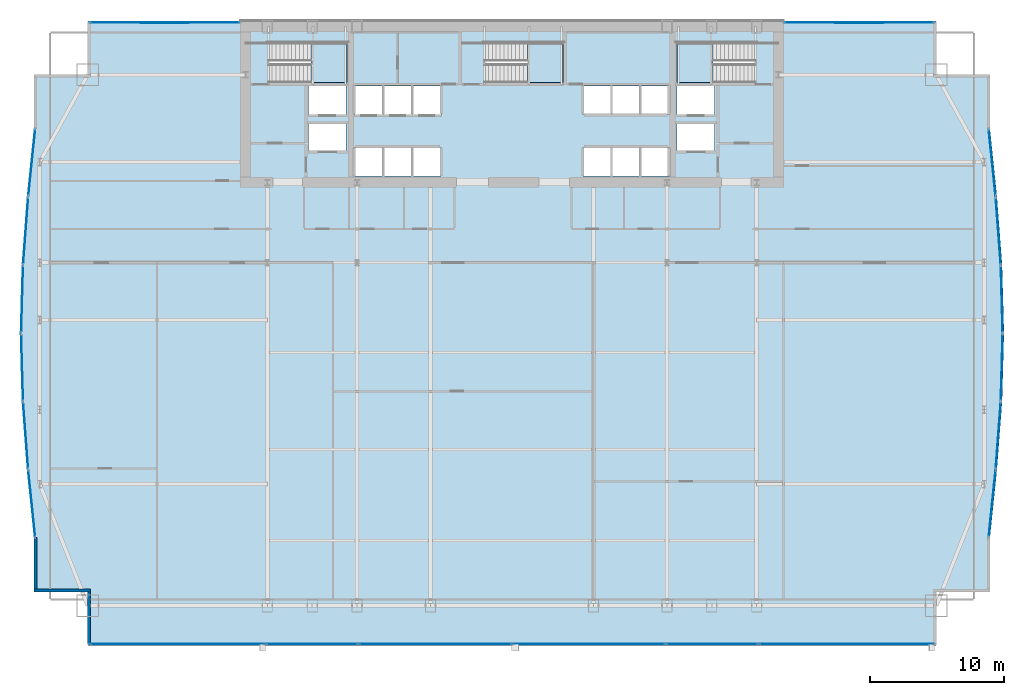
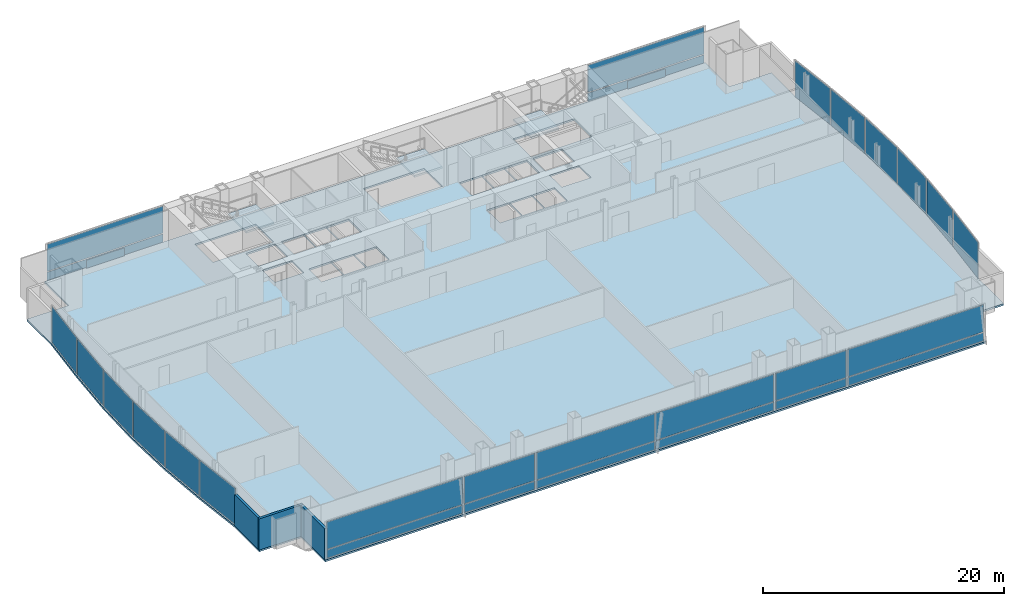
# One storey, part 25 of 32: 30 plates, 4 slabs, 3 walls, 22 elements without a shape of their own.
"""IFC4 building model written with IfcOpenShell, lengths in metres."""

from ifc_helpers import new_model, si_unit, direction, frame, frame_2d, origin, origin_2d, place, context, subcontext, project, spatial, polyline, rectangle, outline, extrude, material, layer, layer_set, type_object, element, aggregate, save


model = new_model("IFC4")

# Units and contexts
model_context = context("Model", 3, precision=1e-05, world=origin(), true_north=direction((0.0, 1.0)))
body_context = subcontext(model_context, "Body", "Model", "MODEL_VIEW")
ifc_project = project(units=[si_unit("LENGTHUNIT", "METRE"), si_unit("AREAUNIT", "SQUARE_METRE"), si_unit("VOLUMEUNIT", "CUBIC_METRE"), si_unit("PLANEANGLEUNIT", "RADIAN"), si_unit("MASSUNIT", "GRAM", prefix="KILO")], contexts=[model_context])

# Site, building, storey
site_placement = place(None, origin())
site = spatial("IfcSite", under=ifc_project, at=site_placement, CompositionType="ELEMENT")
building_placement = place(site_placement, origin())
building = spatial("IfcBuilding", under=site, at=building_placement, Name="Khoronbel Lancet Exchange", CompositionType="ELEMENT")
storey_placement = place(building_placement, frame((0.0, 0.0, 29.800048828125)))
storey = spatial("IfcBuildingStorey", under=building, at=storey_placement, Name="L06", CompositionType="ELEMENT", Elevation=29.800048828125)

# Curtain wall, plate
ifc_material_1 = material(Name="Low-E Solar Control Insulating Glass", Category="glass")
curtain_wall_type_1 = type_object("IfcCurtainWallType", Name="CW-4", PredefinedType="NOTDEFINED", material=ifc_material_1)
curtain_wall_1_placement = place(storey_placement, origin())
curtain_wall_1 = element("IfcCurtainWall", 1, at=curtain_wall_1_placement, inside=storey, type_object=curtain_wall_type_1, Name="Unitised curtain wall CW-L06-E05", PredefinedType="NOTDEFINED")
ifc_material_2 = material(Name="Bronze-Anodised Aluminium 6063-T6", Category="aluminium")
ifc_layer_1 = layer(ifc_material_2, 0.050048828125, Name="Bronze-Anodised Aluminium 6063-T6")
ifc_layer_set_1 = layer_set([ifc_layer_1], Name="Bronze-Anodised Aluminium 6063-T6")
plate_type_1 = type_object("IfcPlateType", Name="PLT-CSP1", PredefinedType="SHEET", material=ifc_layer_set_1)
plate_1_placement = place(storey_placement, frame((0.22265625, 22.831298828125, 0.0849609375), z_axis=(0.0, 0.0, 1.0), x_axis=(-0.075395030141, 0.997153744129, 0.0)))
plate_1 = element("IfcPlate", 2, at=plate_1_placement, type_object=plate_type_1, Name="CW4 panel 1.1", PredefinedType="CURTAIN_PANEL", context=body_context, shape_type="SweptSolid", body=[
    extrude(rectangle(XDim=4.944580078125, YDim=0.0380859375, at=origin_2d()), origin(), (0.0, 0.0, 1.0), 3.64990234375),
])
aggregate(curtain_wall_1, [plate_1])

curtain_wall_2_placement = place(storey_placement, origin())
curtain_wall_2 = element("IfcCurtainWall", 3, at=curtain_wall_2_placement, inside=storey, type_object=curtain_wall_type_1, Name="Unitised curtain wall CW-L06-E06", PredefinedType="NOTDEFINED")
plate_2_placement = place(storey_placement, frame((-0.039794921875, 27.91064453125, 0.0849609375), z_axis=(0.0, 0.0, 1.0), x_axis=(-0.027673647157, 0.999617011286, 0.0)))
plate_2 = element("IfcPlate", 4, at=plate_2_placement, type_object=plate_type_1, Name="CW4 panel 1.1", PredefinedType="CURTAIN_PANEL", context=body_context, shape_type="SweptSolid", body=[
    extrude(rectangle(XDim=4.9306640625, YDim=0.0380859375, at=origin_2d()), origin(), (0.0, 0.0, 1.0), 3.64990234375),
])
aggregate(curtain_wall_2, [plate_2])

curtain_wall_3_placement = place(storey_placement, origin())
curtain_wall_3 = element("IfcCurtainWall", 5, at=curtain_wall_3_placement, inside=storey, type_object=curtain_wall_type_1, Name="Unitised curtain wall CW-L06-E07", PredefinedType="NOTDEFINED")
plate_3_placement = place(storey_placement, frame((-0.039794921875, 32.9892578125, 0.0849609375), z_axis=(0.0, 0.0, 1.0), x_axis=(0.027673647157, 0.999617011286, 0.0)))
plate_3 = element("IfcPlate", 6, at=plate_3_placement, type_object=plate_type_1, Name="CW4 panel 1.1", PredefinedType="CURTAIN_PANEL", context=body_context, shape_type="SweptSolid", body=[
    extrude(rectangle(XDim=4.9306640625, YDim=0.0380859375, at=origin_2d()), origin(), (0.0, 0.0, 1.0), 3.64990234375),
])
aggregate(curtain_wall_3, [plate_3])

curtain_wall_4_placement = place(storey_placement, origin())
curtain_wall_4 = element("IfcCurtainWall", 7, at=curtain_wall_4_placement, inside=storey, type_object=curtain_wall_type_1, Name="Unitised curtain wall CW-L06-E08", PredefinedType="NOTDEFINED")
plate_4_placement = place(storey_placement, frame((0.22265625, 38.068603515625, 0.0849609375), z_axis=(0.0, 0.0, 1.0), x_axis=(0.075395030141, 0.997153744129, 0.0)))
plate_4 = element("IfcPlate", 8, at=plate_4_placement, type_object=plate_type_1, Name="CW4 panel 1.1", PredefinedType="CURTAIN_PANEL", context=body_context, shape_type="SweptSolid", body=[
    extrude(rectangle(XDim=4.944580078125, YDim=0.0380859375, at=origin_2d()), origin(), (0.0, 0.0, 1.0), 3.64990234375),
])
aggregate(curtain_wall_4, [plate_4])

curtain_wall_type_2 = type_object("IfcCurtainWallType", Name="CW-1", PredefinedType="NOTDEFINED", material=ifc_material_1)
curtain_wall_5_placement = place(storey_placement, origin())
curtain_wall_5 = element("IfcCurtainWall", 9, at=curtain_wall_5_placement, inside=storey, type_object=curtain_wall_type_2, Name="Unitised curtain wall CW-L06-NWFLK", PredefinedType="NOTDEFINED")
plate_5_placement = place(storey_placement, frame((10.580078125, 53.550048828125, 0.0498046875), z_axis=(0.0, 0.0, 1.0), x_axis=(-1.0, 0.0, 0.0)))
plate_5 = element("IfcPlate", 10, at=plate_5_placement, type_object=plate_type_1, Name="Insulated bronze spandrel cassette CW-L06-NWFLK", PredefinedType="SHEET", context=body_context, shape_type="SweptSolid", body=[
    extrude(rectangle(XDim=3.60009765625, YDim=0.050048828125, at=origin_2d()), origin(), (0.0, 0.0, 1.0), 0.800048828125),
])

curtain_wall_6_placement = place(storey_placement, origin())
curtain_wall_6 = element("IfcCurtainWall", 11, at=curtain_wall_6_placement, inside=storey, type_object=curtain_wall_type_2, Name="Unitised curtain wall CW-L06-NEFLK", PredefinedType="NOTDEFINED")
plate_6_placement = place(storey_placement, frame((62.320068359375, 53.550048828125, 0.0498046875), z_axis=(0.0, 0.0, 1.0), x_axis=(-1.0, 0.0, 0.0)))
plate_6 = element("IfcPlate", 12, at=plate_6_placement, type_object=plate_type_1, Name="Insulated bronze spandrel cassette CW-L06-NEFLK", PredefinedType="SHEET", context=body_context, shape_type="SweptSolid", body=[
    extrude(rectangle(XDim=3.60009765625, YDim=0.050048828125, at=origin_2d()), origin(), (0.0, 0.0, 1.0), 0.800048828125),
])

curtain_wall_7_placement = place(storey_placement, origin())
curtain_wall_7 = element("IfcCurtainWall", 13, at=curtain_wall_7_placement, inside=storey, type_object=curtain_wall_type_1, Name="Unitised curtain wall CW-L06-E18", PredefinedType="NOTDEFINED")
plate_7_placement = place(storey_placement, frame((72.67724609375, 38.068603515625, 0.0849609375), z_axis=(0.0, 0.0, 1.0), x_axis=(0.075395030141, -0.997153744129, 0.0)))
plate_7 = element("IfcPlate", 14, at=plate_7_placement, type_object=plate_type_1, Name="CW4 panel 1.1", PredefinedType="CURTAIN_PANEL", context=body_context, shape_type="SweptSolid", body=[
    extrude(rectangle(XDim=4.944580078125, YDim=0.0380859375, at=origin_2d()), origin(), (0.0, 0.0, 1.0), 3.64990234375),
])
aggregate(curtain_wall_7, [plate_7])

curtain_wall_8_placement = place(storey_placement, origin())
curtain_wall_8 = element("IfcCurtainWall", 15, at=curtain_wall_8_placement, inside=storey, type_object=curtain_wall_type_1, Name="Unitised curtain wall CW-L06-E19", PredefinedType="NOTDEFINED")
plate_8_placement = place(storey_placement, frame((72.939697265625, 32.9892578125, 0.0849609375), z_axis=(0.0, 0.0, 1.0), x_axis=(0.027673647157, -0.999617011286, 0.0)))
plate_8 = element("IfcPlate", 16, at=plate_8_placement, type_object=plate_type_1, Name="CW4 panel 1.1", PredefinedType="CURTAIN_PANEL", context=body_context, shape_type="SweptSolid", body=[
    extrude(rectangle(XDim=4.9306640625, YDim=0.0380859375, at=origin_2d()), origin(), (0.0, 0.0, 1.0), 3.64990234375),
])
aggregate(curtain_wall_8, [plate_8])

curtain_wall_9_placement = place(storey_placement, origin())
curtain_wall_9 = element("IfcCurtainWall", 17, at=curtain_wall_9_placement, inside=storey, type_object=curtain_wall_type_1, Name="Unitised curtain wall CW-L06-E20", PredefinedType="NOTDEFINED")
plate_9_placement = place(storey_placement, frame((72.939697265625, 27.91064453125, 0.0849609375), z_axis=(0.0, 0.0, 1.0), x_axis=(-0.027673647157, -0.999617011286, 0.0)))
plate_9 = element("IfcPlate", 18, at=plate_9_placement, type_object=plate_type_1, Name="CW4 panel 1.1", PredefinedType="CURTAIN_PANEL", context=body_context, shape_type="SweptSolid", body=[
    extrude(rectangle(XDim=4.9306640625, YDim=0.0380859375, at=origin_2d()), origin(), (0.0, 0.0, 1.0), 3.64990234375),
])
aggregate(curtain_wall_9, [plate_9])

curtain_wall_10_placement = place(storey_placement, origin())
curtain_wall_10 = element("IfcCurtainWall", 19, at=curtain_wall_10_placement, inside=storey, type_object=curtain_wall_type_1, Name="Unitised curtain wall CW-L06-E21", PredefinedType="NOTDEFINED")
plate_10_placement = place(storey_placement, frame((72.67724609375, 22.831298828125, 0.0849609375), z_axis=(0.0, 0.0, 1.0), x_axis=(-0.075395030141, -0.997153744129, 0.0)))
plate_10 = element("IfcPlate", 20, at=plate_10_placement, type_object=plate_type_1, Name="CW4 panel 1.1", PredefinedType="CURTAIN_PANEL", context=body_context, shape_type="SweptSolid", body=[
    extrude(rectangle(XDim=4.944580078125, YDim=0.0380859375, at=origin_2d()), origin(), (0.0, 0.0, 1.0), 3.64990234375),
])
aggregate(curtain_wall_10, [plate_10])

# Curtain wall, plates
curtain_wall_11_placement = place(storey_placement, origin())
curtain_wall_11 = element("IfcCurtainWall", 21, at=curtain_wall_11_placement, inside=storey, type_object=curtain_wall_type_2, Name="Unitised curtain wall CW-L06-SWB", PredefinedType="NOTDEFINED")
plate_11_placement = place(storey_placement, frame((21.550048828125, 7.2900390625, 0.0849609375), z_axis=(0.0, 0.0, 1.0), x_axis=(1.0, 0.0, 0.0)))
plate_11 = element("IfcPlate", 22, at=plate_11_placement, type_object=plate_type_1, Name="CW1 panel 1.1", PredefinedType="CURTAIN_PANEL", context=body_context, shape_type="SweptSolid", body=[
    extrude(rectangle(XDim=6.72998046875, YDim=0.0380859375, at=origin_2d()), origin(), (0.0, 0.0, 1.0), 0.822509765625),
])
plate_12_placement = place(storey_placement, frame((21.550048828125, 7.2900390625, 0.99267578125), z_axis=(0.0, 0.0, 1.0), x_axis=(1.0, 0.0, 0.0)))
plate_12 = element("IfcPlate", 23, at=plate_12_placement, type_object=plate_type_1, Name="CW1 panel 1.2", PredefinedType="CURTAIN_PANEL", context=body_context, shape_type="SweptSolid", body=[
    extrude(rectangle(XDim=6.72998046875, YDim=0.0380859375, at=origin_2d()), origin(), (0.0, 0.0, 1.0), 2.742431640625),
])
aggregate(curtain_wall_11, [plate_11, plate_12])

curtain_wall_12_placement = place(storey_placement, origin())
curtain_wall_12 = element("IfcCurtainWall", 24, at=curtain_wall_12_placement, inside=storey, type_object=curtain_wall_type_2, Name="Unitised curtain wall CW-L06-SEB", PredefinedType="NOTDEFINED")
plate_13_placement = place(storey_placement, frame((51.35009765625, 7.2900390625, 0.0849609375), z_axis=(0.0, 0.0, 1.0), x_axis=(1.0, 0.0, 0.0)))
plate_13 = element("IfcPlate", 25, at=plate_13_placement, type_object=plate_type_1, Name="CW1 panel 1.1", PredefinedType="CURTAIN_PANEL", context=body_context, shape_type="SweptSolid", body=[
    extrude(rectangle(XDim=6.72998046875, YDim=0.0380859375, at=origin_2d()), origin(), (0.0, 0.0, 1.0), 0.822509765625),
])
plate_14_placement = place(storey_placement, frame((51.35009765625, 7.2900390625, 0.99267578125), z_axis=(0.0, 0.0, 1.0), x_axis=(1.0, 0.0, 0.0)))
plate_14 = element("IfcPlate", 26, at=plate_14_placement, type_object=plate_type_1, Name="CW1 panel 1.2", PredefinedType="CURTAIN_PANEL", context=body_context, shape_type="SweptSolid", body=[
    extrude(rectangle(XDim=6.72998046875, YDim=0.0380859375, at=origin_2d()), origin(), (0.0, 0.0, 1.0), 2.742431640625),
])
aggregate(curtain_wall_12, [plate_13, plate_14])

# Plate
ifc_layer_2 = layer(ifc_material_1, 0.035888671875, Name="Low-E Solar Control Insulating Glass")
ifc_layer_set_2 = layer_set([ifc_layer_2], Name="Low-E Solar Control Insulating Glass")
plate_type_2 = type_object("IfcPlateType", Name="PLT-CWP1", PredefinedType="CURTAIN_PANEL", material=ifc_layer_set_2)
plate_15_placement = place(storey_placement, frame((10.580078125, 53.610107421875, 0.0849609375), z_axis=(0.0, 0.0, 1.0), x_axis=(-1.0, 0.0, 0.0)))
plate_15 = element("IfcPlate", 27, at=plate_15_placement, type_object=plate_type_2, Name="CW1 panel 1.1", PredefinedType="CURTAIN_PANEL", context=body_context, shape_type="SweptSolid", body=[
    extrude(rectangle(XDim=11.110107421875, YDim=0.0380859375, at=origin_2d()), origin(), (0.0, 0.0, 1.0), 0.822509765625),
])

plate_16_placement = place(storey_placement, frame((10.580078125, 53.610107421875, 0.99267578125), z_axis=(0.0, 0.0, 1.0), x_axis=(-1.0, 0.0, 0.0)))
plate_16 = element("IfcPlate", 28, at=plate_16_placement, type_object=plate_type_2, Name="CW1 panel 1.2", PredefinedType="CURTAIN_PANEL", context=body_context, shape_type="SweptSolid", body=[
    extrude(rectangle(XDim=11.110107421875, YDim=0.0380859375, at=origin_2d()), origin(), (0.0, 0.0, 1.0), 2.742431640625),
])

aggregate(curtain_wall_5, [plate_15, plate_16, plate_5])

plate_17_placement = place(storey_placement, frame((62.320068359375, 53.610107421875, 0.0849609375), z_axis=(0.0, 0.0, 1.0), x_axis=(-1.0, 0.0, 0.0)))
plate_17 = element("IfcPlate", 29, at=plate_17_placement, type_object=plate_type_2, Name="CW1 panel 1.1", PredefinedType="CURTAIN_PANEL", context=body_context, shape_type="SweptSolid", body=[
    extrude(rectangle(XDim=11.110107421875, YDim=0.0380859375, at=origin_2d()), origin(), (0.0, 0.0, 1.0), 0.822509765625),
])

plate_18_placement = place(storey_placement, frame((62.320068359375, 53.610107421875, 0.99267578125), z_axis=(0.0, 0.0, 1.0), x_axis=(-1.0, 0.0, 0.0)))
plate_18 = element("IfcPlate", 30, at=plate_18_placement, type_object=plate_type_2, Name="CW1 panel 1.2", PredefinedType="CURTAIN_PANEL", context=body_context, shape_type="SweptSolid", body=[
    extrude(rectangle(XDim=11.110107421875, YDim=0.0380859375, at=origin_2d()), origin(), (0.0, 0.0, 1.0), 2.742431640625),
])

aggregate(curtain_wall_6, [plate_17, plate_18, plate_6])

# Curtain wall, plates
curtain_wall_13_placement = place(storey_placement, origin())
curtain_wall_13 = element("IfcCurtainWall", 31, at=curtain_wall_13_placement, inside=storey, type_object=curtain_wall_type_2, Name="Unitised curtain wall CW-L06-SWV", PredefinedType="NOTDEFINED")
plate_19_placement = place(storey_placement, frame((11.52001953125, 7.2900390625, 0.0849609375), z_axis=(0.0, 0.0, 1.0), x_axis=(1.0, 0.0, 0.0)))
plate_19 = element("IfcPlate", 32, at=plate_19_placement, type_object=plate_type_2, Name="CW1 panel 1.1", PredefinedType="CURTAIN_PANEL", context=body_context, shape_type="SweptSolid", body=[
    extrude(rectangle(XDim=12.989990234375, YDim=0.0380859375, at=origin_2d()), origin(), (0.0, 0.0, 1.0), 0.822509765625),
])
plate_20_placement = place(storey_placement, frame((11.52001953125, 7.2900390625, 0.99267578125), z_axis=(0.0, 0.0, 1.0), x_axis=(1.0, 0.0, 0.0)))
plate_20 = element("IfcPlate", 33, at=plate_20_placement, type_object=plate_type_2, Name="CW1 panel 1.2", PredefinedType="CURTAIN_PANEL", context=body_context, shape_type="SweptSolid", body=[
    extrude(rectangle(XDim=12.989990234375, YDim=0.0380859375, at=origin_2d()), origin(), (0.0, 0.0, 1.0), 2.742431640625),
])
aggregate(curtain_wall_13, [plate_19, plate_20])

curtain_wall_14_placement = place(storey_placement, origin())
curtain_wall_14 = element("IfcCurtainWall", 34, at=curtain_wall_14_placement, inside=storey, type_object=curtain_wall_type_2, Name="Unitised curtain wall CW-L06-SCV", PredefinedType="NOTDEFINED")
plate_21_placement = place(storey_placement, frame((30.746337890625, 7.2900390625, 0.0849609375), z_axis=(0.0, 0.0, 1.0), x_axis=(1.0, 0.0, 0.0)))
plate_21 = element("IfcPlate", 35, at=plate_21_placement, type_object=plate_type_2, Name="CW1 panel 1.1", PredefinedType="CURTAIN_PANEL", context=body_context, shape_type="SweptSolid", body=[
    extrude(rectangle(XDim=11.322509765625, YDim=0.0380859375, at=origin_2d()), origin(), (0.0, 0.0, 1.0), 0.822509765625),
])
plate_22_placement = place(storey_placement, frame((30.746337890625, 7.2900390625, 0.99267578125), z_axis=(0.0, 0.0, 1.0), x_axis=(1.0, 0.0, 0.0)))
plate_22 = element("IfcPlate", 36, at=plate_22_placement, type_object=plate_type_2, Name="CW1 panel 1.2", PredefinedType="CURTAIN_PANEL", context=body_context, shape_type="SweptSolid", body=[
    extrude(rectangle(XDim=11.322509765625, YDim=0.0380859375, at=origin_2d()), origin(), (0.0, 0.0, 1.0), 2.742431640625),
])
plate_23_placement = place(storey_placement, frame((42.15380859375, 7.2900390625, 0.0849609375), z_axis=(0.0, 0.0, 1.0), x_axis=(1.0, 0.0, 0.0)))
plate_23 = element("IfcPlate", 37, at=plate_23_placement, type_object=plate_type_2, Name="CW1 panel 2.1", PredefinedType="CURTAIN_PANEL", context=body_context, shape_type="SweptSolid", body=[
    extrude(rectangle(XDim=11.322509765625, YDim=0.0380859375, at=origin_2d()), origin(), (0.0, 0.0, 1.0), 0.822509765625),
])
plate_24_placement = place(storey_placement, frame((42.15380859375, 7.2900390625, 0.99267578125), z_axis=(0.0, 0.0, 1.0), x_axis=(1.0, 0.0, 0.0)))
plate_24 = element("IfcPlate", 38, at=plate_24_placement, type_object=plate_type_2, Name="CW1 panel 2.2", PredefinedType="CURTAIN_PANEL", context=body_context, shape_type="SweptSolid", body=[
    extrude(rectangle(XDim=11.322509765625, YDim=0.0380859375, at=origin_2d()), origin(), (0.0, 0.0, 1.0), 2.742431640625),
])
aggregate(curtain_wall_14, [plate_21, plate_22, plate_23, plate_24])

curtain_wall_15_placement = place(storey_placement, origin())
curtain_wall_15 = element("IfcCurtainWall", 39, at=curtain_wall_15_placement, inside=storey, type_object=curtain_wall_type_2, Name="Unitised curtain wall CW-L06-SEV", PredefinedType="NOTDEFINED")
plate_25_placement = place(storey_placement, frame((61.3798828125, 7.2900390625, 0.0849609375), z_axis=(0.0, 0.0, 1.0), x_axis=(1.0, 0.0, 0.0)))
plate_25 = element("IfcPlate", 40, at=plate_25_placement, type_object=plate_type_2, Name="CW1 panel 1.1", PredefinedType="CURTAIN_PANEL", context=body_context, shape_type="SweptSolid", body=[
    extrude(rectangle(XDim=12.989990234375, YDim=0.0380859375, at=origin_2d()), origin(), (0.0, 0.0, 1.0), 0.822509765625),
])
plate_26_placement = place(storey_placement, frame((61.3798828125, 7.2900390625, 0.99267578125), z_axis=(0.0, 0.0, 1.0), x_axis=(1.0, 0.0, 0.0)))
plate_26 = element("IfcPlate", 41, at=plate_26_placement, type_object=plate_type_2, Name="CW1 panel 1.2", PredefinedType="CURTAIN_PANEL", context=body_context, shape_type="SweptSolid", body=[
    extrude(rectangle(XDim=12.989990234375, YDim=0.0380859375, at=origin_2d()), origin(), (0.0, 0.0, 1.0), 2.742431640625),
])
aggregate(curtain_wall_15, [plate_25, plate_26])

# Curtain wall, plate
curtain_wall_16_placement = place(storey_placement, origin())
curtain_wall_16 = element("IfcCurtainWall", 42, at=curtain_wall_16_placement, inside=storey, type_object=curtain_wall_type_1, Name="Unitised curtain wall CW-L06-E04", PredefinedType="NOTDEFINED")
ifc_material_3 = material(Name="Ceramic-Fritted Laminated Insulating Glass", Category="glass")
ifc_layer_3 = layer(ifc_material_3, 0.0419921875, Name="Ceramic-Fritted Laminated Insulating Glass")
ifc_layer_set_3 = layer_set([ifc_layer_3], Name="Ceramic-Fritted Laminated Insulating Glass")
plate_type_3 = type_object("IfcPlateType", Name="PLT-CWP2", PredefinedType="CURTAIN_PANEL", material=ifc_layer_set_3)
plate_27_placement = place(storey_placement, frame((0.67724609375, 17.748046875, 0.0849609375), z_axis=(0.0, 0.0, 1.0), x_axis=(-0.102723015403, 0.994709998998, 0.0)))
plate_27 = element("IfcPlate", 43, at=plate_27_placement, type_object=plate_type_3, Name="CW4 panel 1.1", PredefinedType="CURTAIN_PANEL", context=body_context, shape_type="SweptSolid", body=[
    extrude(rectangle(XDim=4.9638671875, YDim=0.0380859375, at=origin_2d()), origin(), (0.0, 0.0, 1.0), 3.64990234375),
])
aggregate(curtain_wall_16, [plate_27])

curtain_wall_17_placement = place(storey_placement, origin())
curtain_wall_17 = element("IfcCurtainWall", 44, at=curtain_wall_17_placement, inside=storey, type_object=curtain_wall_type_1, Name="Unitised curtain wall CW-L06-E09", PredefinedType="NOTDEFINED")
plate_28_placement = place(storey_placement, frame((0.67724609375, 43.152099609375, 0.0849609375), z_axis=(0.0, 0.0, 1.0), x_axis=(0.102723015403, 0.994709998998, 0.0)))
plate_28 = element("IfcPlate", 45, at=plate_28_placement, type_object=plate_type_3, Name="CW4 panel 1.1", PredefinedType="CURTAIN_PANEL", context=body_context, shape_type="SweptSolid", body=[
    extrude(rectangle(XDim=4.9638671875, YDim=0.0380859375, at=origin_2d()), origin(), (0.0, 0.0, 1.0), 3.64990234375),
])
aggregate(curtain_wall_17, [plate_28])

curtain_wall_18_placement = place(storey_placement, origin())
curtain_wall_18 = element("IfcCurtainWall", 46, at=curtain_wall_18_placement, inside=storey, type_object=curtain_wall_type_1, Name="Unitised curtain wall CW-L06-E17", PredefinedType="NOTDEFINED")
plate_29_placement = place(storey_placement, frame((72.22265625, 43.152099609375, 0.0849609375), z_axis=(0.0, 0.0, 1.0), x_axis=(0.102723015403, -0.994709998998, 0.0)))
plate_29 = element("IfcPlate", 47, at=plate_29_placement, type_object=plate_type_3, Name="CW4 panel 1.1", PredefinedType="CURTAIN_PANEL", context=body_context, shape_type="SweptSolid", body=[
    extrude(rectangle(XDim=4.9638671875, YDim=0.0380859375, at=origin_2d()), origin(), (0.0, 0.0, 1.0), 3.64990234375),
])
aggregate(curtain_wall_18, [plate_29])

curtain_wall_19_placement = place(storey_placement, origin())
curtain_wall_19 = element("IfcCurtainWall", 48, at=curtain_wall_19_placement, inside=storey, type_object=curtain_wall_type_1, Name="Unitised curtain wall CW-L06-E22", PredefinedType="NOTDEFINED")
plate_30_placement = place(storey_placement, frame((72.22265625, 17.748046875, 0.0849609375), z_axis=(0.0, 0.0, 1.0), x_axis=(-0.102723015403, -0.994709998998, 0.0)))
plate_30 = element("IfcPlate", 49, at=plate_30_placement, type_object=plate_type_3, Name="CW4 panel 1.1", PredefinedType="CURTAIN_PANEL", context=body_context, shape_type="SweptSolid", body=[
    extrude(rectangle(XDim=4.9638671875, YDim=0.0380859375, at=origin_2d()), origin(), (0.0, 0.0, 1.0), 3.64990234375),
])
aggregate(curtain_wall_19, [plate_30])

# Slab
ifc_material_4 = material(Name="Concrete C40/50", Category="concrete")
ifc_layer_4 = layer(ifc_material_4, 0.179931640625, Name="Concrete C40/50")
ifc_layer_set_4 = layer_set([ifc_layer_4], Name="Concrete C40/50")
slab_type_1 = type_object("IfcSlabType", Name="SL-FL180", PredefinedType="FLOOR", material=ifc_layer_set_4)
slab_1_placement = place(storey_placement, frame((0.0, 0.0, -0.179931640625)))
element("IfcSlab", 50, at=slab_1_placement, inside=storey, type_object=slab_type_1, Name="Level L06 composite structural floor slab", PredefinedType="FLOOR", context=body_context, shape_type="SweptSolid", body=[
    extrude(outline(polyline([(4.85009765625, 7.199951171875), (68.050048828125, 7.199951171875), (68.050048828125, 11.199951171875), (72.050048828125, 11.199951171875), (72.050048828125, 15.199951171875), (72.574951171875, 20.283203125), (72.959228515625, 25.36669921875), (73.10009765625, 30.449951171875), (72.959228515625, 35.533203125), (72.574951171875, 40.61669921875), (72.050048828125, 45.699951171875), (72.050048828125, 49.699951171875), (68.050048828125, 49.699951171875), (68.050048828125, 53.699951171875), (4.85009765625, 53.699951171875), (4.85009765625, 49.699951171875), (0.85009765625, 49.699951171875), (0.85009765625, 45.699951171875), (0.324951171875, 40.61669921875), (-0.059326171875, 35.533203125), (-0.199951171875, 30.449951171875), (-0.059326171875, 25.36669921875), (0.324951171875, 20.283203125), (0.85009765625, 15.199951171875), (0.85009765625, 11.199951171875), (4.85009765625, 11.199951171875), (4.85009765625, 7.199951171875)]), holes=[polyline([(18.324951171875, 49.1201171875), (24.14990234375, 49.1201171875), (24.14990234375, 52.10009765625), (18.324951171875, 52.10009765625), (18.324951171875, 49.1201171875)]), polyline([(48.75, 49.1201171875), (54.574951171875, 49.1201171875), (54.574951171875, 52.10009765625), (48.75, 52.10009765625), (48.75, 49.1201171875)]), polyline([(34.425048828125, 49.1201171875), (40.25, 49.1201171875), (40.25, 52.10009765625), (34.425048828125, 52.10009765625), (34.425048828125, 49.1201171875)]), polyline([(24.699951171875, 46.75), (26.840087890625, 46.75), (26.840087890625, 48.85009765625), (24.699951171875, 48.85009765625), (24.699951171875, 46.75)]), polyline([(26.860107421875, 46.75), (29.0, 46.75), (29.0, 48.85009765625), (26.860107421875, 48.85009765625), (26.860107421875, 46.75)]), polyline([(29.02001953125, 46.75), (31.159912109375, 46.75), (31.159912109375, 48.85009765625), (29.02001953125, 48.85009765625), (29.02001953125, 46.75)]), polyline([(24.699951171875, 42.14990234375), (26.840087890625, 42.14990234375), (26.840087890625, 44.300048828125), (24.699951171875, 44.300048828125), (24.699951171875, 42.14990234375)]), polyline([(26.860107421875, 42.14990234375), (29.0, 42.14990234375), (29.0, 44.300048828125), (26.860107421875, 44.300048828125), (26.860107421875, 42.14990234375)]), polyline([(29.02001953125, 42.14990234375), (31.159912109375, 42.14990234375), (31.159912109375, 44.300048828125), (29.02001953125, 44.300048828125), (29.02001953125, 42.14990234375)]), polyline([(41.739990234375, 46.75), (43.8798828125, 46.75), (43.8798828125, 48.85009765625), (41.739990234375, 48.85009765625), (41.739990234375, 46.75)]), polyline([(43.89990234375, 46.75), (46.0400390625, 46.75), (46.0400390625, 48.85009765625), (43.89990234375, 48.85009765625), (43.89990234375, 46.75)]), polyline([(46.06005859375, 46.75), (48.199951171875, 46.75), (48.199951171875, 48.85009765625), (46.06005859375, 48.85009765625), (46.06005859375, 46.75)]), polyline([(41.739990234375, 42.14990234375), (43.8798828125, 42.14990234375), (43.8798828125, 44.300048828125), (41.739990234375, 44.300048828125), (41.739990234375, 42.14990234375)]), polyline([(43.89990234375, 42.14990234375), (46.0400390625, 42.14990234375), (46.0400390625, 44.300048828125), (43.89990234375, 44.300048828125), (43.89990234375, 42.14990234375)]), polyline([(46.06005859375, 42.14990234375), (48.199951171875, 42.14990234375), (48.199951171875, 44.300048828125), (46.06005859375, 44.300048828125), (46.06005859375, 42.14990234375)]), polyline([(21.300048828125, 46.75), (24.10009765625, 46.75), (24.10009765625, 48.85009765625), (21.300048828125, 48.85009765625), (21.300048828125, 46.75)]), polyline([(48.75, 46.75), (51.550048828125, 46.75), (51.550048828125, 48.85009765625), (48.75, 48.85009765625), (48.75, 46.75)]), polyline([(21.300048828125, 44.050048828125), (24.10009765625, 44.050048828125), (24.10009765625, 46.050048828125), (21.300048828125, 46.050048828125), (21.300048828125, 44.050048828125)]), polyline([(48.75, 44.050048828125), (51.550048828125, 44.050048828125), (51.550048828125, 46.050048828125), (48.75, 46.050048828125), (48.75, 44.050048828125)])]), origin(), (0.0, 0.0, 1.0), 0.179931640625),
])

# Stair, slab
stair_type = type_object("IfcStairType", Name="STR-CORE150", PredefinedType="HALF_TURN_STAIR", material=ifc_material_4)
stair_1_placement = place(storey_placement, origin())
stair_1 = element("IfcStair", 51, at=stair_1_placement, inside=storey, type_object=stair_type, Name="L06 Protected Exit Stair ST1", PredefinedType="HALF_TURN_STAIR")
ifc_layer_5 = layer(ifc_material_4, 0.199951171875, Name="Concrete C40/50")
ifc_layer_set_5 = layer_set([ifc_layer_5], Name="Concrete C40/50")
slab_type_2 = type_object("IfcSlabType", Name="SL-LND180", PredefinedType="LANDING", material=ifc_layer_set_5)
slab_2_placement = place(storey_placement, frame((0.0, 0.0, 1.800048828125)))
slab_2 = element("IfcSlab", 52, at=slab_2_placement, type_object=slab_type_2, Name="ST1 landing 1", PredefinedType="LANDING", context=body_context, shape_type="SweptSolid", body=[
    extrude(outline(polyline([(21.489990234375, 49.1201171875), (24.14990234375, 49.1201171875), (24.14990234375, 52.10009765625), (21.489990234375, 52.10009765625), (21.489990234375, 49.1201171875)])), origin(), (0.0, 0.0, 1.0), 0.199951171875),
])
aggregate(stair_1, [slab_2])

stair_2_placement = place(storey_placement, origin())
stair_2 = element("IfcStair", 53, at=stair_2_placement, inside=storey, type_object=stair_type, Name="L06 Protected Exit Stair ST2", PredefinedType="HALF_TURN_STAIR")
slab_3_placement = place(storey_placement, frame((0.0, 0.0, 1.800048828125)))
slab_3 = element("IfcSlab", 54, at=slab_3_placement, type_object=slab_type_2, Name="ST2 landing 1", PredefinedType="LANDING", context=body_context, shape_type="SweptSolid", body=[
    extrude(outline(polyline([(51.409912109375, 52.10009765625), (48.75, 52.10009765625), (48.75, 49.1201171875), (51.409912109375, 49.1201171875), (51.409912109375, 52.10009765625)])), origin(), (0.0, 0.0, 1.0), 0.199951171875),
])
aggregate(stair_2, [slab_3])

stair_3_placement = place(storey_placement, origin())
stair_3 = element("IfcStair", 55, at=stair_3_placement, inside=storey, type_object=stair_type, Name="L06 Protected Exit Stair ST3", PredefinedType="HALF_TURN_STAIR")
slab_4_placement = place(storey_placement, frame((0.0, 0.0, 1.800048828125)))
slab_4 = element("IfcSlab", 56, at=slab_4_placement, type_object=slab_type_2, Name="ST3 landing 1", PredefinedType="LANDING", context=body_context, shape_type="SweptSolid", body=[
    extrude(outline(polyline([(37.590087890625, 49.1201171875), (40.25, 49.1201171875), (40.25, 52.10009765625), (37.590087890625, 52.10009765625), (37.590087890625, 49.1201171875)])), origin(), (0.0, 0.0, 1.0), 0.199951171875),
])
aggregate(stair_3, [slab_4])

# Walls
ifc_material_5 = material(Name="Precast concrete C40/50", Category="concrete")
ifc_layer_6 = layer(ifc_material_5, 0.25, Name="Precast concrete C40/50")
ifc_layer_set_6 = layer_set([ifc_layer_6], Name="Precast concrete C40/50")
wall_type = type_object("IfcWallType", Name="WL-EXT250", PredefinedType="SOLIDWALL", material=ifc_layer_set_6)
wall_1_placement = place(storey_placement, frame((4.93994140625, 7.27001953125, 0.0), z_axis=(0.0, 0.0, 1.0), x_axis=(0.0, 1.0, 0.0)))
element("IfcWall", 57, at=wall_1_placement, inside=storey, type_object=wall_type, Name="Level L06 notched-corner limestone pier 01", PredefinedType="SOLIDWALL", context=body_context, shape_type="SweptSolid", body=[
    extrude(rectangle(XDim=3.909912109375, YDim=0.219970703125, at=frame_2d((1.955078125, 0.0))), origin(), (0.0, 0.0, 1.0), 3.159912109375),
])
wall_2_placement = place(storey_placement, frame((5.050048828125, 11.2900390625, 0.0), z_axis=(0.0, 0.0, 1.0), x_axis=(-1.0, 0.0, 0.0)))
element("IfcWall", 58, at=wall_2_placement, inside=storey, type_object=wall_type, Name="Level L06 notched-corner limestone pier 02", PredefinedType="SOLIDWALL", context=body_context, shape_type="SweptSolid", body=[
    extrude(rectangle(XDim=4.219970703125, YDim=0.219970703125, at=frame_2d((2.10986328125, 0.0))), origin(), (0.0, 0.0, 1.0), 3.159912109375),
])
wall_3_placement = place(storey_placement, frame((0.93994140625, 11.39990234375, 0.0), z_axis=(0.0, 0.0, 1.0), x_axis=(0.0, 1.0, 0.0)))
element("IfcWall", 59, at=wall_3_placement, inside=storey, type_object=wall_type, Name="Level L06 notched-corner limestone pier 03", PredefinedType="SOLIDWALL", context=body_context, shape_type="SweptSolid", body=[
    extrude(rectangle(XDim=3.82470703125, YDim=0.219970703125, at=frame_2d((1.912353515625, 0.0))), origin(), (0.0, 0.0, 1.0), 3.159912109375),
])

save(model, "model.ifc")
